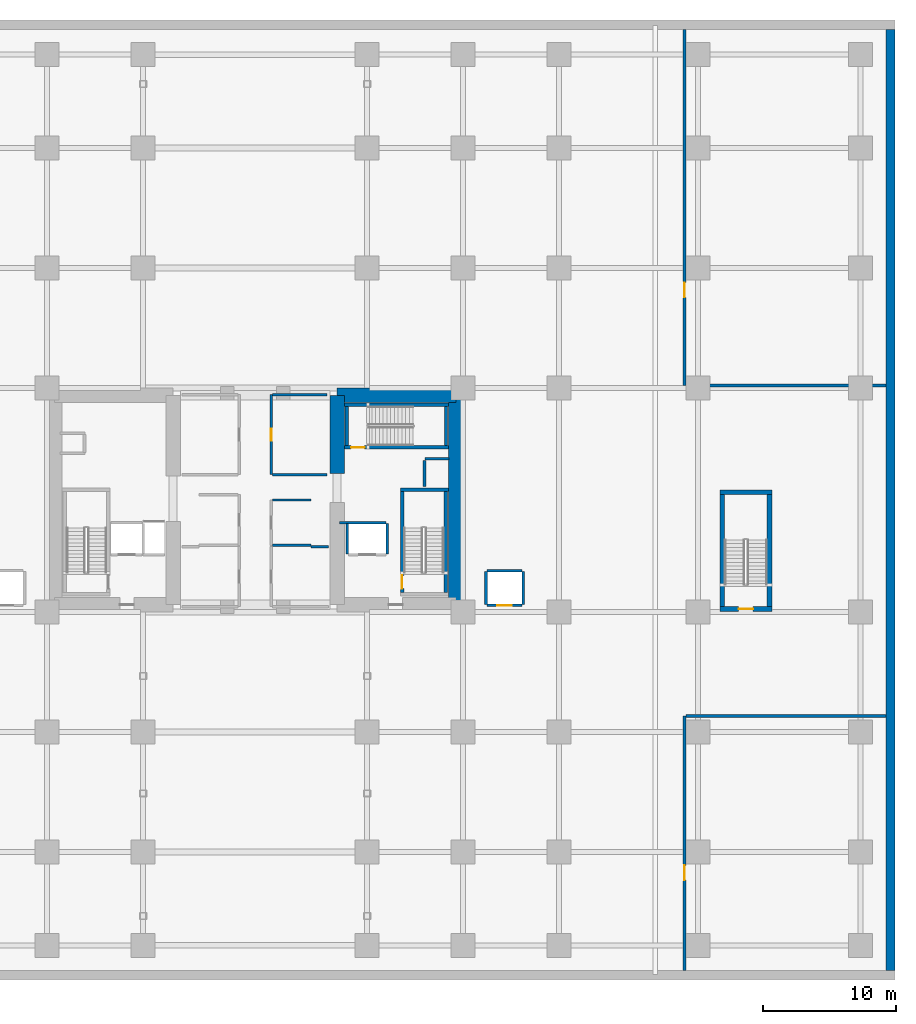
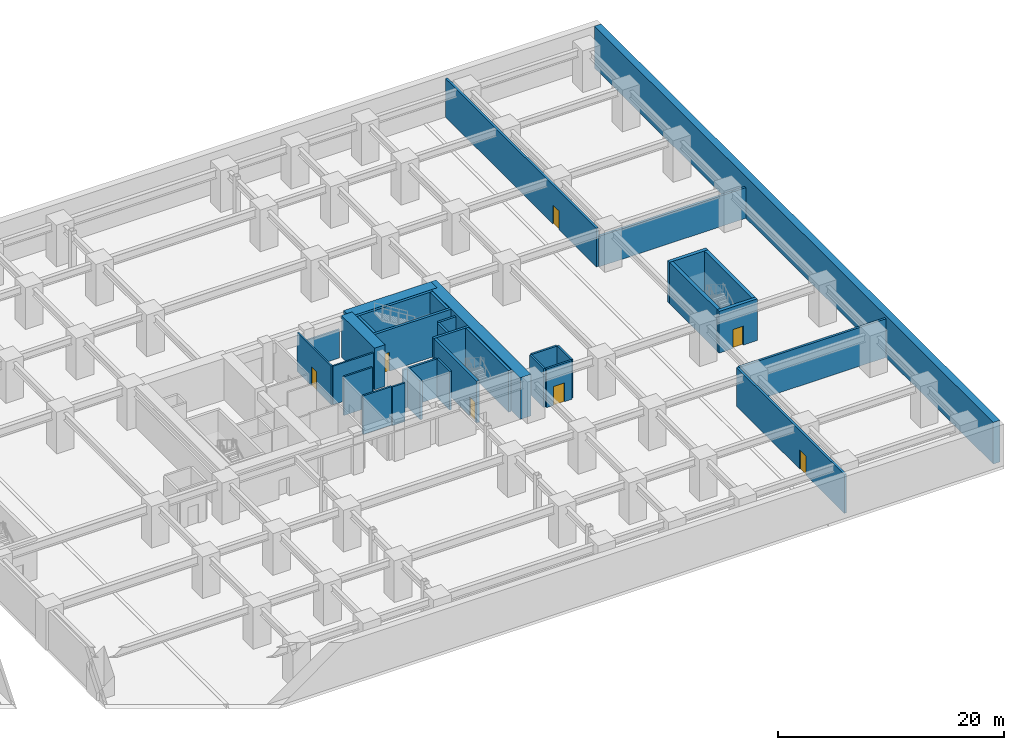
# One storey, part 11 of 20: 34 walls, 7 doors, 7 openings.
"""IFC4 building model written with IfcOpenShell, lengths in metres."""

from ifc_helpers import new_model, si_unit, direction, frame, frame_2d, origin, place, context, subcontext, project, spatial, rectangle, extrude, material, layer, layer_set, type_object, element, fill, save


model = new_model("IFC4")

# Units and contexts
model_context = context("Model", 3, precision=1e-05, world=origin(), true_north=direction((0.0, 1.0)))
body_context = subcontext(model_context, "Body", "Model", "MODEL_VIEW")
ifc_project = project(units=[si_unit("LENGTHUNIT", "METRE"), si_unit("AREAUNIT", "SQUARE_METRE"), si_unit("VOLUMEUNIT", "CUBIC_METRE"), si_unit("PLANEANGLEUNIT", "RADIAN"), si_unit("MASSUNIT", "GRAM", prefix="KILO")], contexts=[model_context])

# Site, building, storey
site_placement = place(None, origin())
site = spatial("IfcSite", under=ifc_project, at=site_placement, CompositionType="ELEMENT")
building_placement = place(site_placement, origin())
building = spatial("IfcBuilding", under=site, at=building_placement, Name="Kiyonajd Concourse Tower", CompositionType="ELEMENT")
storey_placement = place(building_placement, frame((0.0, 0.0, -4.5)))
storey = spatial("IfcBuildingStorey", under=building, at=storey_placement, Name="B1", CompositionType="ELEMENT", Elevation=-4.5)

# Walls
ifc_material_1 = material(Name="Concrete C80/95", Category="concrete")
ifc_layer_1 = layer(ifc_material_1, 1.10009765625)
ifc_layer_set_1 = layer_set([ifc_layer_1], Name="Concrete C80/95")
wall_type_1 = type_object("IfcWallType", Name="WL-CORE-1100", PredefinedType="SHEAR", material=ifc_layer_set_1)
wall_1_placement = place(storey_placement, frame((54.14990234375, 38.0, 0.0), z_axis=(0.0, 0.0, 1.0), x_axis=(0.0, 1.0, 0.0)))
element("IfcWall", 1, at=wall_1_placement, inside=storey, type_object=wall_type_1, Name="B1 East Core Inner North Shear Wall", PredefinedType="SHEAR", context=body_context, shape_type="SweptSolid", body=[
    extrude(rectangle(XDim=5.85009765625, YDim=1.10009765625, at=frame_2d((2.925048828125, 0.0))), origin(), (0.0, 0.0, 1.0), 4.5),
])
wall_2_placement = place(storey_placement, frame((63.050048828125, 27.60009765625, 0.0), z_axis=(0.0, 0.0, 1.0), x_axis=(0.0, 1.0, 0.0)))
element("IfcWall", 2, at=wall_2_placement, inside=storey, type_object=wall_type_1, Name="B1 East Core Outer Shear Wall", PredefinedType="SHEAR", context=body_context, shape_type="SweptSolid", body=[
    extrude(rectangle(XDim=16.7998046875, YDim=1.10009765625, at=frame_2d((8.39990234375, 0.0))), origin(), (0.0, 0.0, 1.0), 4.5),
])
wall_3_placement = place(storey_placement, frame((54.14990234375, 43.85009765625, 0.0), z_axis=(0.0, 0.0, 1.0), x_axis=(1.0, 0.0, 0.0)))
element("IfcWall", 3, at=wall_3_placement, inside=storey, type_object=wall_type_1, Name="B1 East Core North Shear Wall", PredefinedType="SHEAR", context=body_context, shape_type="SweptSolid", body=[
    extrude(rectangle(XDim=8.900146484375, YDim=1.10009765625, at=frame_2d((4.4501953125, 0.0))), origin(), (0.0, 0.0, 1.0), 4.5),
])

# Wall, opening, door
ifc_material_2 = material(Name="Gypsum Board on Cold-Formed Steel Stud", Category="steel")
ifc_layer_2 = layer(ifc_material_2, 0.22998046875)
ifc_layer_set_2 = layer_set([ifc_layer_2], Name="Gypsum Board on Cold-Formed Steel Stud")
wall_type_2 = type_object("IfcWallType", Name="WL-FIRE-230", PredefinedType="PARTITIONING", material=ifc_layer_set_2)
wall_4_placement = place(storey_placement, frame((80.199951171875, 0.695068359375, 0.0), z_axis=(0.0, 0.0, 1.0), x_axis=(0.0, 1.0, 0.0)))
wall_4 = element("IfcWall", 4, at=wall_4_placement, inside=storey, type_object=wall_type_2, Name="B1 Interior Partition Wall", PredefinedType="PARTITIONING", context=body_context, shape_type="SweptSolid", body=[
    extrude(rectangle(XDim=19.10498046875, YDim=0.22998046875, at=frame_2d((9.552490234375, 0.0))), origin(), (0.0, 0.0, 1.0), 4.179931640625),
])
opening_1_placement = place(wall_4_placement, frame((6.804931640625, 0.0, 0.0)))
opening_1 = element("IfcOpeningElement", 5, at=opening_1_placement, cuts=wall_4, Name="Opening DF2", PredefinedType="OPENING", context=body_context, shape_type="SweptSolid", body=[
    extrude(rectangle(XDim=1.10009765625, YDim=2.050048828125, at=frame_2d((0.550048828125, 1.02490234375))), frame((0.0, 0.125, 0.0), z_axis=(0.0, -1.0, 0.0), x_axis=(1.0, 0.0, 0.0)), (0.0, 0.0, 1.0), 0.25),
])
ifc_material_3 = material(Name="Brushed Stainless Steel Cab Assembly", Category="steel")
door_type_1 = type_object("IfcDoorType", Name="DR-FD90-1100", OperationType="NOTDEFINED", PredefinedType="DOOR", material=ifc_material_3)
door_1_placement = place(opening_1_placement, origin())
door_1 = element("IfcDoor", 6, at=door_1_placement, inside=storey, type_object=door_type_1, Name="B1 Interior Door", OperationType="SINGLE_SWING_LEFT", OverallHeight=2.050048828125, OverallWidth=1.10009765625, PredefinedType="DOOR", context=body_context, shape_type="SweptSolid", body=[
    extrude(rectangle(XDim=1.10009765625, YDim=2.050048828125, at=frame_2d((0.550048828125, 1.02490234375))), frame((0.0, 0.02490234375, 0.0), z_axis=(0.0, -1.0, 0.0), x_axis=(1.0, 0.0, 0.0)), (0.0, 0.0, 1.0), 0.050048828125),
])
fill(opening_1, door_1)

# Wall
wall_5_placement = place(storey_placement, frame((80.31689453125, 19.800048828125, 0.0), z_axis=(0.0, 0.0, 1.0), x_axis=(1.0, 0.0, 0.0)))
element("IfcWall", 7, at=wall_5_placement, inside=storey, type_object=wall_type_2, Name="B1 Interior Partition Wall", PredefinedType="PARTITIONING", context=body_context, shape_type="SweptSolid", body=[
    extrude(rectangle(XDim=14.988037109375, YDim=0.22998046875, at=frame_2d((7.494140625, 0.0))), origin(), (0.0, 0.0, 1.0), 4.179931640625),
])

# Wall, opening, door
wall_6_placement = place(storey_placement, frame((80.199951171875, 44.60009765625, 0.0), z_axis=(0.0, 0.0, 1.0), x_axis=(0.0, 1.0, 0.0)))
wall_6 = element("IfcWall", 8, at=wall_6_placement, inside=storey, type_object=wall_type_2, Name="B1 Interior Partition Wall", PredefinedType="PARTITIONING", context=body_context, shape_type="SweptSolid", body=[
    extrude(rectangle(XDim=26.704833984375, YDim=0.22998046875, at=frame_2d((13.3525390625, 0.0))), origin(), (0.0, 0.0, 1.0), 4.179931640625),
])
opening_2_placement = place(wall_6_placement, frame((6.60009765625, 0.0, 0.0)))
opening_2 = element("IfcOpeningElement", 9, at=opening_2_placement, cuts=wall_6, Name="Opening DF2", PredefinedType="OPENING", context=body_context, shape_type="SweptSolid", body=[
    extrude(rectangle(XDim=1.10009765625, YDim=2.050048828125, at=frame_2d((0.550048828125, 1.02490234375))), frame((0.0, 0.125, 0.0), z_axis=(0.0, -1.0, 0.0), x_axis=(1.0, 0.0, 0.0)), (0.0, 0.0, 1.0), 0.25),
])
door_2_placement = place(opening_2_placement, origin())
door_2 = element("IfcDoor", 10, at=door_2_placement, inside=storey, type_object=door_type_1, Name="B1 Interior Door", OperationType="SINGLE_SWING_RIGHT", OverallHeight=2.050048828125, OverallWidth=1.10009765625, PredefinedType="DOOR", context=body_context, shape_type="SweptSolid", body=[
    extrude(rectangle(XDim=1.10009765625, YDim=2.050048828125, at=frame_2d((0.550048828125, 1.02490234375))), frame((0.0, 0.02490234375, 0.0), z_axis=(0.0, -1.0, 0.0), x_axis=(1.0, 0.0, 0.0)), (0.0, 0.0, 1.0), 0.050048828125),
])
fill(opening_2, door_2)

# Walls
wall_7_placement = place(storey_placement, frame((80.31689453125, 44.60009765625, 0.0), z_axis=(0.0, 0.0, 1.0), x_axis=(1.0, 0.0, 0.0)))
element("IfcWall", 11, at=wall_7_placement, inside=storey, type_object=wall_type_2, Name="B1 Interior Partition Wall", PredefinedType="PARTITIONING", context=body_context, shape_type="SweptSolid", body=[
    extrude(rectangle(XDim=14.988037109375, YDim=0.22998046875, at=frame_2d((7.494140625, 0.0))), origin(), (0.0, 0.0, 1.0), 3.31005859375),
])
ifc_material_4 = material(Name="Concrete C50/60", Category="concrete")
ifc_layer_3 = layer(ifc_material_4, 0.699951171875)
ifc_layer_set_3 = layer_set([ifc_layer_3], Name="Concrete C50/60")
wall_type_3 = type_object("IfcWallType", Name="WL-RET-700", PredefinedType="SOLIDWALL", material=ifc_layer_set_3)
wall_8_placement = place(storey_placement, frame((95.64990234375, 0.699951171875, 0.0), z_axis=(0.0, 0.0, 1.0), x_axis=(0.0, 1.0, 0.0)))
element("IfcWall", 12, at=wall_8_placement, inside=storey, type_object=wall_type_3, Name="B1 East Basement Retaining Wall", PredefinedType="SOLIDWALL", context=body_context, shape_type="SweptSolid", body=[
    extrude(rectangle(XDim=70.60009765625, YDim=0.699951171875, at=frame_2d((35.300048828125, 0.0))), origin(), (0.0, 0.0, 1.0), 4.5),
])
ifc_layer_4 = layer(ifc_material_2, 0.2099609375)
ifc_layer_set_4 = layer_set([ifc_layer_4], Name="Gypsum Board on Cold-Formed Steel Stud")
wall_type_4 = type_object("IfcWallType", Name="WL-SHAFT-210", PredefinedType="PARTITIONING", material=ifc_layer_set_4)
wall_9_placement = place(storey_placement, frame((60.719970703125, 39.10009765625, 0.0), z_axis=(0.0, 0.0, 1.0), x_axis=(1.0, 0.0, 0.0)))
element("IfcWall", 13, at=wall_9_placement, inside=storey, type_object=wall_type_4, Name="B1 Shaft Enclosure Wall", PredefinedType="PARTITIONING", context=body_context, shape_type="SweptSolid", body=[
    extrude(rectangle(XDim=1.800048828125, YDim=0.2099609375, at=frame_2d((0.89990234375, 0.0))), origin(), (0.0, 0.0, 1.0), 4.179931640625),
])
wall_10_placement = place(storey_placement, frame((60.699951171875, 37.02001953125, 0.0), z_axis=(0.0, 0.0, 1.0), x_axis=(0.0, 1.0, 0.0)))
element("IfcWall", 14, at=wall_10_placement, inside=storey, type_object=wall_type_4, Name="B1 Shaft Enclosure Wall", PredefinedType="PARTITIONING", context=body_context, shape_type="SweptSolid", body=[
    extrude(rectangle(XDim=1.9599609375, YDim=0.2099609375, at=frame_2d((0.97998046875, 0.0))), origin(), (0.0, 0.0, 1.0), 4.179931640625),
])
wall_11_placement = place(storey_placement, frame((54.320068359375, 34.300048828125, 0.0), z_axis=(0.0, 0.0, 1.0), x_axis=(1.0, 0.0, 0.0)))
element("IfcWall", 15, at=wall_11_placement, inside=storey, type_object=wall_type_4, Name="B1 Shaft Enclosure Wall", PredefinedType="PARTITIONING", context=body_context, shape_type="SweptSolid", body=[
    extrude(rectangle(XDim=3.47998046875, YDim=0.2099609375, at=frame_2d((1.739990234375, 0.0))), origin(), (0.0, 0.0, 1.0), 4.179931640625),
])
for number, where, z_axis, x_axis, name in (
    (16, (54.89990234375, 31.9599609375, 0.0), (0.0, 0.0, 1.0), (0.0, 1.0, 0.0), "B1 Shaft Enclosure Wall"),
    (17, (57.89990234375, 31.9599609375, 0.0), (0.0, 0.0, 1.0), (0.0, 1.0, 0.0), "B1 Shaft Enclosure Wall"),
):
    element("IfcWall", number, at=place(storey_placement, frame(where, z_axis=z_axis, x_axis=x_axis)), inside=storey, type_object=wall_type_4, Name=name, PredefinedType="PARTITIONING", context=body_context, shape_type="SweptSolid", body=[
        extrude(rectangle(XDim=2.280029296875, YDim=0.2099609375, at=frame_2d((1.14013671875, 0.0))), origin(), (0.0, 0.0, 1.0), 4.179931640625),
    ])

# Wall, opening, door
wall_12_placement = place(storey_placement, frame((65.39990234375, 28.10009765625, 0.0), z_axis=(0.0, 0.0, 1.0), x_axis=(1.0, 0.0, 0.0)))
wall_12 = element("IfcWall", 18, at=wall_12_placement, inside=storey, type_object=wall_type_4, Name="B1 Shaft Enclosure Wall", PredefinedType="PARTITIONING", context=body_context, shape_type="SweptSolid", body=[
    extrude(rectangle(XDim=2.60009765625, YDim=0.2099609375, at=frame_2d((1.300048828125, 0.0))), origin(), (0.0, 0.0, 1.0), 4.179931640625),
])
opening_3_placement = place(wall_12_placement, frame((0.75, 0.0, 0.0)))
opening_3 = element("IfcOpeningElement", 19, at=opening_3_placement, cuts=wall_12, Name="Opening LD1", PredefinedType="OPENING", context=body_context, shape_type="SweptSolid", body=[
    extrude(rectangle(XDim=1.10009765625, YDim=2.0400390625, at=frame_2d((0.550048828125, 1.02001953125))), frame((0.0, 0.114990234375, 0.0), z_axis=(0.0, -1.0, 0.0), x_axis=(1.0, 0.0, 0.0)), (0.0, 0.0, 1.0), 0.22998046875),
])
door_type_2 = type_object("IfcDoorType", Name="DR-LD-1100", OperationType="DOUBLE_DOOR_SLIDING", PredefinedType="DOOR", material=ifc_material_3)
door_3_placement = place(opening_3_placement, origin())
door_3 = element("IfcDoor", 20, at=door_3_placement, inside=storey, type_object=door_type_2, Name="B1 Lift PD2 Sliding Landing Door", OperationType="DOUBLE_DOOR_SLIDING", OverallHeight=2.0400390625, OverallWidth=1.10009765625, PredefinedType="DOOR", context=body_context, shape_type="SweptSolid", body=[
    extrude(rectangle(XDim=1.10009765625, YDim=2.0400390625, at=frame_2d((0.550048828125, 1.02001953125))), frame((0.0, 0.02490234375, 0.0), z_axis=(0.0, -1.0, 0.0), x_axis=(1.0, 0.0, 0.0)), (0.0, 0.0, 1.0), 0.050048828125),
])
fill(opening_3, door_3)

# Walls
wall_13_placement = place(storey_placement, frame((65.39990234375, 30.699951171875, 0.0), z_axis=(0.0, 0.0, 1.0), x_axis=(1.0, 0.0, 0.0)))
element("IfcWall", 21, at=wall_13_placement, inside=storey, type_object=wall_type_4, Name="B1 Shaft Enclosure Wall", PredefinedType="PARTITIONING", context=body_context, shape_type="SweptSolid", body=[
    extrude(rectangle(XDim=2.60009765625, YDim=0.2099609375, at=frame_2d((1.300048828125, 0.0))), origin(), (0.0, 0.0, 1.0), 4.179931640625),
])
for number, where, z_axis, x_axis, name in (
    (22, (65.300048828125, 28.159912109375, 0.0), (0.0, 0.0, 1.0), (0.0, 1.0, 0.0), "B1 Shaft Enclosure Wall"),
    (23, (68.10009765625, 28.159912109375, 0.0), (0.0, 0.0, 1.0), (0.0, 1.0, 0.0), "B1 Shaft Enclosure Wall"),
):
    element("IfcWall", number, at=place(storey_placement, frame(where, z_axis=z_axis, x_axis=x_axis)), inside=storey, type_object=wall_type_4, Name=name, PredefinedType="PARTITIONING", context=body_context, shape_type="SweptSolid", body=[
        extrude(rectangle(XDim=2.47998046875, YDim=0.2099609375, at=frame_2d((1.239990234375, 0.0))), origin(), (0.0, 0.0, 1.0), 4.179931640625),
    ])
ifc_layer_5 = layer(ifc_material_2, 0.169921875)
ifc_layer_set_5 = layer_set([ifc_layer_5], Name="Gypsum Board on Cold-Formed Steel Stud")
wall_type_5 = type_object("IfcWallType", Name="WL-SMK-170", PredefinedType="PARTITIONING", material=ifc_layer_set_5)
for number, where, z_axis, x_axis, name in (
    (24, (49.287109375, 32.60009765625, 0.0), (0.0, 0.0, 1.0), (1.0, 0.0, 0.0), "B1 Interior Partition Wall"),
    (25, (49.287109375, 36.0, 0.0), (0.0, 0.0, 1.0), (1.0, 0.0, 0.0), "B1 Interior Partition Wall"),
):
    element("IfcWall", number, at=place(storey_placement, frame(where, z_axis=z_axis, x_axis=x_axis)), inside=storey, type_object=wall_type_5, Name=name, PredefinedType="PARTITIONING", context=body_context, shape_type="SweptSolid", body=[
        extrude(rectangle(XDim=2.912841796875, YDim=0.169921875, at=frame_2d((1.45654296875, 0.0))), origin(), (0.0, 0.0, 1.0), 4.179931640625),
    ])
wall_14_placement = place(storey_placement, frame((52.199951171875, 32.5, 0.0), z_axis=(0.0, 0.0, 1.0), x_axis=(1.0, 0.0, 0.0)))
element("IfcWall", 26, at=wall_14_placement, inside=storey, type_object=wall_type_5, Name="B1 Interior Partition Wall", PredefinedType="PARTITIONING", context=body_context, shape_type="SweptSolid", body=[
    extrude(rectangle(XDim=1.300048828125, YDim=0.169921875, at=frame_2d((0.64990234375, 0.0))), origin(), (0.0, 0.0, 1.0), 4.179931640625),
])

# Wall, opening, door
wall_15_placement = place(storey_placement, frame((49.199951171875, 37.89990234375, 0.0), z_axis=(0.0, 0.0, 1.0), x_axis=(0.0, 1.0, 0.0)))
wall_15 = element("IfcWall", 27, at=wall_15_placement, inside=storey, type_object=wall_type_5, Name="B1 Interior Partition Wall", PredefinedType="PARTITIONING", context=body_context, shape_type="SweptSolid", body=[
    extrude(rectangle(XDim=6.0, YDim=0.169921875, at=frame_2d((3.0, 0.0))), origin(), (0.0, 0.0, 1.0), 4.179931640625),
])
opening_4_placement = place(wall_15_placement, frame((2.550048828125, 0.0, 0.0)))
opening_4 = element("IfcOpeningElement", 28, at=opening_4_placement, cuts=wall_15, Name="Opening DI2", PredefinedType="OPENING", context=body_context, shape_type="SweptSolid", body=[
    extrude(rectangle(XDim=0.89990234375, YDim=2.02001953125, at=frame_2d((0.449951171875, 1.010009765625))), frame((0.0, 0.094970703125, 0.0), z_axis=(0.0, -1.0, 0.0), x_axis=(1.0, 0.0, 0.0)), (0.0, 0.0, 1.0), 0.18994140625),
])
ifc_material_5 = material(Name="Natural Oak Acoustic Timber Veneer", Category="wood")
door_type_3 = type_object("IfcDoorType", Name="DR-INT-900", OperationType="NOTDEFINED", PredefinedType="DOOR", material=ifc_material_5)
door_4_placement = place(opening_4_placement, origin())
door_4 = element("IfcDoor", 29, at=door_4_placement, inside=storey, type_object=door_type_3, Name="B1 Interior Door", OperationType="SINGLE_SWING_RIGHT", OverallHeight=2.02001953125, OverallWidth=0.89990234375, PredefinedType="DOOR", context=body_context, shape_type="SweptSolid", body=[
    extrude(rectangle(XDim=0.89990234375, YDim=2.02001953125, at=frame_2d((0.449951171875, 1.010009765625))), frame((0.0, 0.02490234375, 0.0), z_axis=(0.0, -1.0, 0.0), x_axis=(1.0, 0.0, 0.0)), (0.0, 0.0, 1.0), 0.050048828125),
])
fill(opening_4, door_4)

# Walls
wall_16_placement = place(storey_placement, frame((49.287109375, 37.89990234375, 0.0), z_axis=(0.0, 0.0, 1.0), x_axis=(1.0, 0.0, 0.0)))
element("IfcWall", 30, at=wall_16_placement, inside=storey, type_object=wall_type_5, Name="B1 Interior Partition Wall", PredefinedType="PARTITIONING", context=body_context, shape_type="SweptSolid", body=[
    extrude(rectangle(XDim=4.11279296875, YDim=0.169921875, at=frame_2d((2.056396484375, 0.0))), origin(), (0.0, 0.0, 1.0), 4.179931640625),
])
wall_17_placement = place(storey_placement, frame((49.287109375, 43.89990234375, 0.0), z_axis=(0.0, 0.0, 1.0), x_axis=(1.0, 0.0, 0.0)))
element("IfcWall", 31, at=wall_17_placement, inside=storey, type_object=wall_type_5, Name="B1 Interior Partition Wall", PredefinedType="PARTITIONING", context=body_context, shape_type="SweptSolid", body=[
    extrude(rectangle(XDim=4.11279296875, YDim=0.169921875, at=frame_2d((2.056396484375, 0.0))), origin(), (0.0, 0.0, 1.0), 3.06494140625),
])
ifc_layer_6 = layer(ifc_material_4, 0.260009765625)
ifc_layer_set_6 = layer_set([ifc_layer_6], Name="Concrete C50/60")
wall_type_6 = type_object("IfcWallType", Name="WL-STAIR-260", PredefinedType="SHEAR", material=ifc_layer_set_6)
wall_18_placement = place(storey_placement, frame((58.889892578125, 36.780029296875, 0.0), z_axis=(0.0, 0.0, 1.0), x_axis=(1.0, 0.0, 0.0)))
element("IfcWall", 32, at=wall_18_placement, inside=storey, type_object=wall_type_6, Name="B1 Stair ST2 Structural North Wall", PredefinedType="SHEAR", context=body_context, shape_type="SweptSolid", body=[
    extrude(rectangle(XDim=3.610107421875, YDim=0.260009765625, at=frame_2d((1.80517578125, 0.0))), origin(), (0.0, 0.0, 1.0), 4.5),
])

# Wall, opening, door
wall_19_placement = place(storey_placement, frame((59.02001953125, 29.050048828125, 0.0), z_axis=(0.0, 0.0, 1.0), x_axis=(0.0, 1.0, 0.0)))
wall_19 = element("IfcWall", 33, at=wall_19_placement, inside=storey, type_object=wall_type_6, Name="B1 Stair ST2 Structural West Wall", PredefinedType="SHEAR", context=body_context, shape_type="SweptSolid", body=[
    extrude(rectangle(XDim=7.599853515625, YDim=0.260009765625, at=frame_2d((3.7998046875, 0.0))), origin(), (0.0, 0.0, 1.0), 4.5),
])
opening_5_placement = place(wall_19_placement, frame((0.300048828125, 0.0, 0.0)))
opening_5 = element("IfcOpeningElement", 34, at=opening_5_placement, cuts=wall_19, Name="Opening DF1", PredefinedType="OPENING", context=body_context, shape_type="SweptSolid", body=[
    extrude(rectangle(XDim=1.0, YDim=2.0400390625, at=frame_2d((0.5, 1.02001953125))), frame((0.0, 0.139892578125, 0.0), z_axis=(0.0, -1.0, 0.0), x_axis=(1.0, 0.0, 0.0)), (0.0, 0.0, 1.0), 0.280029296875),
])
door_type_4 = type_object("IfcDoorType", Name="DR-FD90-1000", OperationType="NOTDEFINED", PredefinedType="DOOR", material=ifc_material_3)
door_5_placement = place(opening_5_placement, origin())
door_5 = element("IfcDoor", 35, at=door_5_placement, inside=storey, type_object=door_type_4, Name="B1 Stair ST2 FSAE Door", OperationType="SINGLE_SWING_RIGHT", OverallHeight=2.0400390625, OverallWidth=1.0, PredefinedType="DOOR", context=body_context, shape_type="SweptSolid", body=[
    extrude(rectangle(XDim=1.0, YDim=2.0400390625, at=frame_2d((0.5, 1.02001953125))), frame((0.0, 0.02490234375, 0.0), z_axis=(0.0, -1.0, 0.0), x_axis=(1.0, 0.0, 0.0)), (0.0, 0.0, 1.0), 0.050048828125),
])
fill(opening_5, door_5)

# Wall
wall_20_placement = place(storey_placement, frame((62.280029296875, 29.050048828125, 0.0), z_axis=(0.0, 0.0, 1.0), x_axis=(0.0, 1.0, 0.0)))
element("IfcWall", 36, at=wall_20_placement, inside=storey, type_object=wall_type_6, Name="B1 Stair ST2 Structural East Wall", PredefinedType="SHEAR", context=body_context, shape_type="SweptSolid", body=[
    extrude(rectangle(XDim=7.599853515625, YDim=0.260009765625, at=frame_2d((3.7998046875, 0.0))), origin(), (0.0, 0.0, 1.0), 4.5),
])

# Wall, opening, door
wall_21_placement = place(storey_placement, frame((54.699951171875, 39.949951171875, 0.0), z_axis=(0.0, 0.0, 1.0), x_axis=(1.0, 0.0, 0.0)))
wall_21 = element("IfcWall", 37, at=wall_21_placement, inside=storey, type_object=wall_type_6, Name="B1 Stair ST3 Structural South Wall", PredefinedType="SHEAR", context=body_context, shape_type="SweptSolid", body=[
    extrude(rectangle(XDim=7.800048828125, YDim=0.260009765625, at=frame_2d((3.89990234375, 0.0))), origin(), (0.0, 0.0, 1.0), 4.5),
])
opening_6_placement = place(wall_21_placement, frame((0.5, 0.0, 0.0)))
opening_6 = element("IfcOpeningElement", 38, at=opening_6_placement, cuts=wall_21, Name="Opening DF1", PredefinedType="OPENING", context=body_context, shape_type="SweptSolid", body=[
    extrude(rectangle(XDim=1.0, YDim=2.0400390625, at=frame_2d((0.5, 1.02001953125))), frame((0.0, 0.139892578125, 0.0), z_axis=(0.0, -1.0, 0.0), x_axis=(1.0, 0.0, 0.0)), (0.0, 0.0, 1.0), 0.280029296875),
])
door_6_placement = place(opening_6_placement, origin())
door_6 = element("IfcDoor", 39, at=door_6_placement, inside=storey, type_object=door_type_4, Name="B1 Stair ST3 Enclosure Door", OperationType="SINGLE_SWING_LEFT", OverallHeight=2.0400390625, OverallWidth=1.0, PredefinedType="DOOR", context=body_context, shape_type="SweptSolid", body=[
    extrude(rectangle(XDim=1.0, YDim=2.0400390625, at=frame_2d((0.5, 1.02001953125))), frame((0.0, 0.02490234375, 0.0), z_axis=(0.0, -1.0, 0.0), x_axis=(1.0, 0.0, 0.0)), (0.0, 0.0, 1.0), 0.050048828125),
])
fill(opening_6, door_6)

# Walls
wall_22_placement = place(storey_placement, frame((54.699951171875, 43.14990234375, 0.0), z_axis=(0.0, 0.0, 1.0), x_axis=(1.0, 0.0, 0.0)))
element("IfcWall", 40, at=wall_22_placement, inside=storey, type_object=wall_type_6, Name="B1 Stair ST3 Structural North Wall", PredefinedType="SHEAR", context=body_context, shape_type="SweptSolid", body=[
    extrude(rectangle(XDim=7.800048828125, YDim=0.260009765625, at=frame_2d((3.89990234375, 0.0))), origin(), (0.0, 0.0, 1.0), 4.5),
])
for number, where, z_axis, x_axis, name in (
    (41, (54.85009765625, 40.080078125, 0.0), (0.0, 0.0, 1.0), (0.0, 1.0, 0.0), "B1 Stair ST3 Structural West Wall"),
    (42, (62.31005859375, 40.080078125, 0.0), (0.0, 0.0, 1.0), (0.0, 1.0, 0.0), "B1 Stair ST3 Structural East Wall"),
):
    element("IfcWall", number, at=place(storey_placement, frame(where, z_axis=z_axis, x_axis=x_axis)), inside=storey, type_object=wall_type_6, Name=name, PredefinedType="SHEAR", context=body_context, shape_type="SweptSolid", body=[
        extrude(rectangle(XDim=2.93994140625, YDim=0.260009765625, at=frame_2d((1.469970703125, 0.0))), origin(), (0.0, 0.0, 1.0), 4.5),
    ])

# Wall, opening, door
ifc_layer_7 = layer(ifc_material_4, 0.35009765625)
ifc_layer_set_7 = layer_set([ifc_layer_7], Name="Concrete C50/60")
wall_type_7 = type_object("IfcWallType", Name="WL-STAIR-350", PredefinedType="SHEAR", material=ifc_layer_set_7)
wall_23_placement = place(storey_placement, frame((82.85009765625, 27.824951171875, 0.0), z_axis=(0.0, 0.0, 1.0), x_axis=(1.0, 0.0, 0.0)))
wall_23 = element("IfcWall", 43, at=wall_23_placement, inside=storey, type_object=wall_type_7, Name="B1 Stair ST5 Structural South Wall", PredefinedType="SHEAR", context=body_context, shape_type="SweptSolid", body=[
    extrude(rectangle(XDim=3.89990234375, YDim=0.35009765625, at=frame_2d((1.949951171875, 0.0))), origin(), (0.0, 0.0, 1.0), 4.5),
])
opening_7_placement = place(wall_23_placement, frame((1.39990234375, 0.0, 0.0)))
opening_7 = element("IfcOpeningElement", 44, at=opening_7_placement, cuts=wall_23, Name="Opening DF2", PredefinedType="OPENING", context=body_context, shape_type="SweptSolid", body=[
    extrude(rectangle(XDim=1.10009765625, YDim=2.050048828125, at=frame_2d((0.550048828125, 1.02490234375))), frame((0.0, 0.18505859375, 0.0), z_axis=(0.0, -1.0, 0.0), x_axis=(1.0, 0.0, 0.0)), (0.0, 0.0, 1.0), 0.3701171875),
])
door_7_placement = place(opening_7_placement, origin())
door_7 = element("IfcDoor", 45, at=door_7_placement, inside=storey, type_object=door_type_1, Name="B1 Stair ST5 Fire Door", OperationType="SINGLE_SWING_RIGHT", OverallHeight=2.050048828125, OverallWidth=1.10009765625, PredefinedType="DOOR", context=body_context, shape_type="SweptSolid", body=[
    extrude(rectangle(XDim=1.10009765625, YDim=2.050048828125, at=frame_2d((0.550048828125, 1.02490234375))), frame((0.0, 0.02490234375, 0.0), z_axis=(0.0, -1.0, 0.0), x_axis=(1.0, 0.0, 0.0)), (0.0, 0.0, 1.0), 0.050048828125),
])
fill(opening_7, door_7)

# Walls
wall_24_placement = place(storey_placement, frame((82.85009765625, 36.574951171875, 0.0), z_axis=(0.0, 0.0, 1.0), x_axis=(1.0, 0.0, 0.0)))
element("IfcWall", 46, at=wall_24_placement, inside=storey, type_object=wall_type_7, Name="B1 Stair ST5 Structural North Wall", PredefinedType="SHEAR", context=body_context, shape_type="SweptSolid", body=[
    extrude(rectangle(XDim=3.89990234375, YDim=0.35009765625, at=frame_2d((1.949951171875, 0.0))), origin(), (0.0, 0.0, 1.0), 4.5),
])
for number, where, z_axis, x_axis, name in (
    (47, (83.02490234375, 28.0, 0.0), (0.0, 0.0, 1.0), (0.0, 1.0, 0.0), "B1 Stair ST5 Structural West Wall"),
    (48, (86.574951171875, 28.0, 0.0), (0.0, 0.0, 1.0), (0.0, 1.0, 0.0), "B1 Stair ST5 Structural East Wall"),
):
    element("IfcWall", number, at=place(storey_placement, frame(where, z_axis=z_axis, x_axis=x_axis)), inside=storey, type_object=wall_type_7, Name=name, PredefinedType="SHEAR", context=body_context, shape_type="SweptSolid", body=[
        extrude(rectangle(XDim=8.39990234375, YDim=0.35009765625, at=frame_2d((4.199951171875, 0.0))), origin(), (0.0, 0.0, 1.0), 4.5),
    ])

save(model, "model.ifc")
